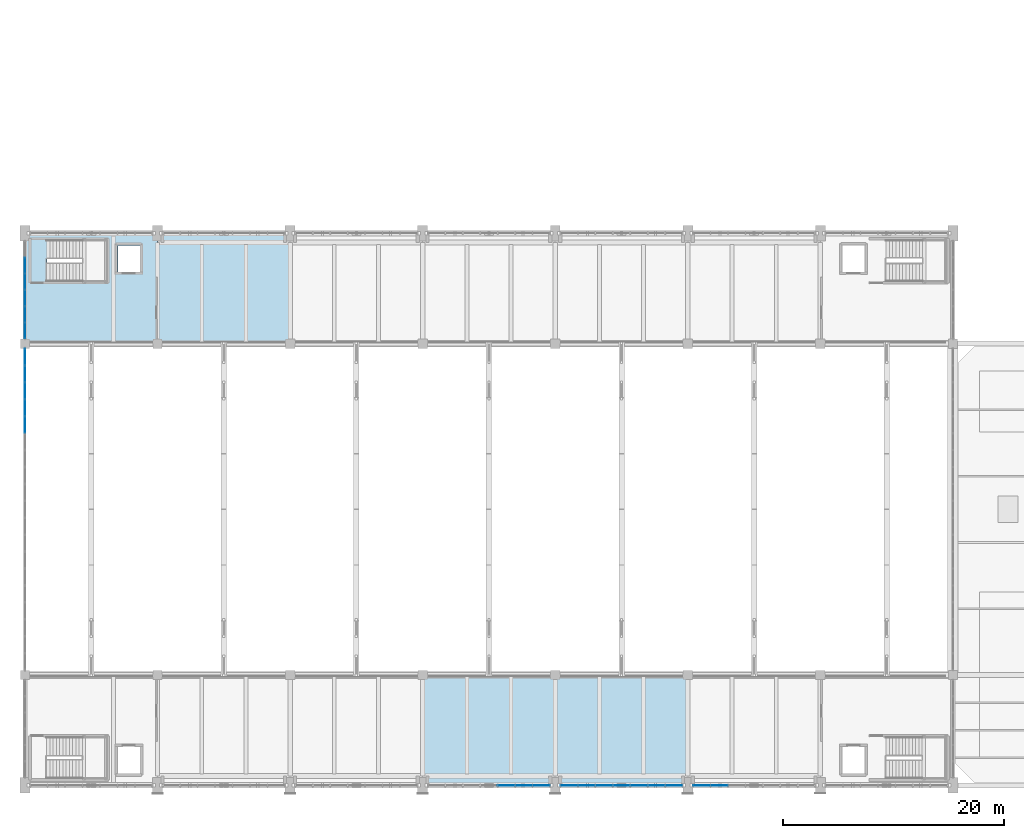
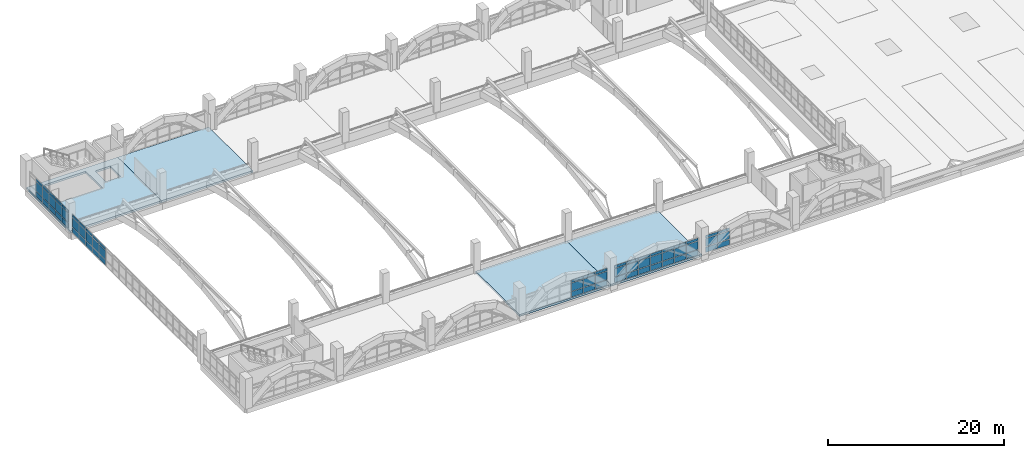
# One storey, part 123 of 161: 66 plates, 4 slabs, 5 elements without a shape of their own.
"""IFC4 building model written with IfcOpenShell, lengths in metres."""

import ifcopenshell
import ifcopenshell.guid

model = None  # the IFC model being written
_history = None  # IfcOwnerHistory: only IFC2X3 demands one
_inside = {}  # id of a spatial element -> (the spatial element, [elements in it])
_under = {}  # id of a project, library or spatial element -> (it, [spatial elements below it])
_declared = {}  # id of a project -> (the project, [libraries it declares])
_typed = {}  # id of a type object -> (the type object, [elements of that type])
_made_of = {}  # id of a material, layer set ... -> (it, [elements and type objects made of it])


def new_model(schema):
    """Start an empty IFC model of exactly this schema.

    Asked for "IFC4X3", IfcOpenShell would pick the latest addendum, in which some entities
    have other attributes; the version numbers below select the first issue.
    IFC2X3 requires an IfcOwnerHistory on every rooted entity: one is made here for all.
    """
    global model, _history
    if schema == "IFC4X3":
        model = ifcopenshell.file(schema_version=(4, 3, 0, 0))
    else:
        model = ifcopenshell.file(schema=schema)
    _inside.clear()
    _under.clear()
    _declared.clear()
    _typed.clear()
    _made_of.clear()
    _history = None
    if model.schema == "IFC2X3":
        org = make("IfcOrganization", Name="unknown")
        user = make(
            "IfcPersonAndOrganization",
            ThePerson=make("IfcPerson", FamilyName="unknown"),
            TheOrganization=org,
        )
        app = make(
            "IfcApplication",
            ApplicationDeveloper=org,
            Version="unknown",
            ApplicationFullName="unknown",
            ApplicationIdentifier="unknown",
        )
        _history = make(
            "IfcOwnerHistory",
            OwningUser=user,
            OwningApplication=app,
            ChangeAction="ADDED",
            CreationDate=0,
        )
    return model


def make(cls, **values):
    """One entity of the class cls with the attributes given. An attribute that is None is left unset."""
    return model.create_entity(
        cls, **{name: value for name, value in values.items() if value is not None}
    )


def rooted(cls, **values):
    """An entity with a GlobalId (a new one), such as an element, a storey or a relation."""
    return make(cls, GlobalId=ifcopenshell.guid.new(), OwnerHistory=_history, **values)


def si_unit(unit_type, name, prefix=None):
    """IfcSIUnit, for example si_unit("LENGTHUNIT", "METRE", prefix="MILLI")."""
    return make("IfcSIUnit", UnitType=unit_type, Prefix=prefix, Name=name)


def assignment(units):
    """IfcUnitAssignment: the units of a project."""
    return None if units is None else make("IfcUnitAssignment", Units=units)


def point(xyz):
    """IfcCartesianPoint."""
    return None if xyz is None else make("IfcCartesianPoint", Coordinates=xyz)


def direction(xyz):
    """IfcDirection."""
    return None if xyz is None else make("IfcDirection", DirectionRatios=xyz)


def frame(location, z_axis=None, x_axis=None):
    """IfcAxis2Placement3D, a coordinate frame: its origin and axes. An axis left out is left unset."""
    return make(
        "IfcAxis2Placement3D",
        Location=point(location),
        Axis=direction(z_axis),
        RefDirection=direction(x_axis),
    )


def frame_2d(location, x_axis=None):
    """IfcAxis2Placement2D, a coordinate frame in the plane: its origin and x axis."""
    return make(
        "IfcAxis2Placement2D", Location=point(location), RefDirection=direction(x_axis)
    )


def origin():
    """The frame at (0, 0, 0) with its axes left unset."""
    return frame((0.0, 0.0, 0.0))


def origin_2d():
    """The frame at (0, 0) in the plane with its x axis left unset."""
    return frame_2d((0.0, 0.0))


def place(relative_to, where):
    """IfcLocalPlacement: puts the frame where relative to a parent placement (None: the world)."""
    return make(
        "IfcLocalPlacement", PlacementRelTo=relative_to, RelativePlacement=where
    )


def context(
    kind, dimensions, precision=None, world=None, true_north=None, identifier=None
):
    """IfcGeometricRepresentationContext, for example the 3D "Model" context."""
    return make(
        "IfcGeometricRepresentationContext",
        ContextIdentifier=identifier,
        ContextType=kind,
        CoordinateSpaceDimension=dimensions,
        Precision=precision,
        WorldCoordinateSystem=world,
        TrueNorth=true_north,
    )


def subcontext(parent, identifier, kind, view, scale=None):
    """IfcGeometricRepresentationSubContext, for example "Body" below "Model"."""
    return make(
        "IfcGeometricRepresentationSubContext",
        ContextIdentifier=identifier,
        ContextType=kind,
        ParentContext=parent,
        TargetScale=scale,
        TargetView=view,
    )


def project(units=None, contexts=None):
    """IfcProject with its units and contexts."""
    return rooted(
        "IfcProject",
        Name="project",
        RepresentationContexts=contexts,
        UnitsInContext=assignment(units),
    )


def spatial(cls, under=None, at=None, **own):
    """A site, building, storey or space (cls), placed at a placement, below another one or the project."""
    s = rooted(cls, ObjectPlacement=at, **own)
    if under is not None:
        _under.setdefault(under.id(), (under, []))[1].append(s)
    return s


def polyline(points):
    """IfcPolyline through the points."""
    return make("IfcPolyline", Points=[point(p) for p in points])


def profile(cls, at=None, kind="AREA", **sizes):
    """A parametric profile (cls). Its sizes go by their IFC names, for example OverallWidth=200.0."""
    return make(cls, ProfileType=kind, Position=at, **sizes)


def rectangle(**sizes):
    """IfcRectangleProfileDef."""
    return profile("IfcRectangleProfileDef", **sizes)


def outline(outer, holes=None, kind="AREA"):
    """IfcArbitraryClosedProfileDef: a profile drawn as a closed curve; with holes, ...WithVoids."""
    if holes is None:
        return make("IfcArbitraryClosedProfileDef", ProfileType=kind, OuterCurve=outer)
    return make(
        "IfcArbitraryProfileDefWithVoids",
        ProfileType=kind,
        OuterCurve=outer,
        InnerCurves=holes,
    )


def extrude(swept, where, along, depth):
    """IfcExtrudedAreaSolid: the profile swept, set in the frame where, extruded along a direction by depth."""
    return make(
        "IfcExtrudedAreaSolid",
        SweptArea=swept,
        Position=where,
        ExtrudedDirection=direction(along),
        Depth=depth,
    )


def shape(context_of_items, identifier, shape_type, items):
    """IfcShapeRepresentation: the items that make up one representation, for example the "Body"."""
    return make(
        "IfcShapeRepresentation",
        ContextOfItems=context_of_items,
        RepresentationIdentifier=identifier,
        RepresentationType=shape_type,
        Items=items,
    )


def material(Name=None, Category=None):
    """IfcMaterial."""
    return make("IfcMaterial", Name=Name, Category=Category)


def layer(
    of_material, thickness, ventilated=None, Name=None, Category=None, Priority=None
):
    """IfcMaterialLayer: one layer of a wall or slab, of a material (None: an air gap)."""
    return make(
        "IfcMaterialLayer",
        Material=of_material,
        LayerThickness=thickness,
        IsVentilated=ventilated,
        Name=Name,
        Category=Category,
        Priority=Priority,
    )


def layer_set(layers, Name=None):
    """IfcMaterialLayerSet."""
    return make("IfcMaterialLayerSet", MaterialLayers=layers, LayerSetName=Name)


def made_of(thing, what):
    """Note that an element or type object is made of a material, layer set ...; save() writes the relation."""
    if what is not None:
        _made_of.setdefault(what.id(), (what, []))[1].append(thing)
    return thing


def type_object(cls, material=None, **own):
    """A type object (cls), such as IfcWallType, which elements share."""
    return made_of(rooted(cls, **own), material)


def element(
    cls,
    number,
    at=None,
    inside=None,
    cuts=None,
    type_object=None,
    material=None,
    context=None,
    identifier="Body",
    shape_type=None,
    held_by="IfcProductDefinitionShape",
    body=None,
    shapes=None,
    **own,
):
    """One element of the class cls, such as IfcWall. Its Tag is "e" and its number.

    at: its placement. inside: the storey or other place that contains it. cuts: it is an
    opening in that element (IfcRelVoidsElement). A single representation is given by context,
    identifier, shape_type and body (its items); several are given by shapes. held_by: the class
    of the entity that holds the representations. save() writes the other relations.
    """
    e = rooted(cls, Tag="e%d" % number, ObjectPlacement=at, **own)
    if body is not None:
        shapes = [shape(context, identifier, shape_type, body)]
    if shapes is not None:
        e.Representation = make(held_by, Representations=shapes)
    if inside is not None:
        _inside.setdefault(inside.id(), (inside, []))[1].append(e)
    if cuts is not None:
        rooted(
            "IfcRelVoidsElement", RelatingBuildingElement=cuts, RelatedOpeningElement=e
        )
    if type_object is not None:
        _typed.setdefault(type_object.id(), (type_object, []))[1].append(e)
    return made_of(e, material)


def aggregate(whole, parts):
    """IfcRelAggregates: a whole, such as a stair, and the parts it consists of."""
    return rooted("IfcRelAggregates", RelatingObject=whole, RelatedObjects=parts)


def save(model, path):
    """Write the relations noted so far, then the file.

    IfcRelAggregates (storeys below a building ...), IfcRelContainedInSpatialStructure (elements
    in a storey), IfcRelDefinesByType, IfcRelAssociatesMaterial and IfcRelDeclares: one each for
    every whole, place, type object, material and project.
    """
    for whole, parts in _under.values():
        aggregate(whole, parts)
    for where, things in _inside.values():
        rooted(
            "IfcRelContainedInSpatialStructure",
            RelatedElements=things,
            RelatingStructure=where,
        )
    for kind, things in _typed.values():
        rooted("IfcRelDefinesByType", RelatedObjects=things, RelatingType=kind)
    for what, things in _made_of.values():
        rooted("IfcRelAssociatesMaterial", RelatedObjects=things, RelatingMaterial=what)
    for by, libraries in _declared.values():
        rooted("IfcRelDeclares", RelatingContext=by, RelatedDefinitions=libraries)
    model.write(path)


model = new_model("IFC4")

# Units and contexts
model_context = context("Model", 3, precision=1e-05, world=origin(), true_north=direction((0.0, 1.0)))
body_context = subcontext(model_context, "Body", "Model", "MODEL_VIEW")
ifc_project = project(units=[si_unit("LENGTHUNIT", "METRE"), si_unit("AREAUNIT", "SQUARE_METRE"), si_unit("VOLUMEUNIT", "CUBIC_METRE"), si_unit("PLANEANGLEUNIT", "RADIAN"), si_unit("MASSUNIT", "GRAM", prefix="KILO")], contexts=[model_context])

# Site, building, storey
site_placement = place(None, origin())
site = spatial("IfcSite", under=ifc_project, at=site_placement, CompositionType="ELEMENT")
building_placement = place(site_placement, origin())
building = spatial("IfcBuilding", under=site, at=building_placement, Name="Mersad Railyard Sports Hall", CompositionType="ELEMENT")
storey_placement = place(building_placement, frame((0.0, 0.0, 4.800048828125)))
storey = spatial("IfcBuildingStorey", under=building, at=storey_placement, Name="L01", CompositionType="ELEMENT", Elevation=4.800048828125)

# Curtain wall, plates
ifc_material_1 = material(Name="Aluminium 6063-T6", Category="aluminium")
ifc_layer_1 = layer(ifc_material_1, 0.199951171875)
ifc_layer_set_1 = layer_set([ifc_layer_1], Name="Aluminium 6063-T6")
curtain_wall_type_1 = type_object("IfcCurtainWallType", Name="ARC-CW-CW02", PredefinedType="USERDEFINED", material=ifc_layer_set_1)
curtain_wall_1_placement = place(storey_placement, origin())
curtain_wall_1 = element("IfcCurtainWall", 1, at=curtain_wall_1_placement, inside=storey, type_object=curtain_wall_type_1, Name="Curtain wall CW02-0011", ObjectType="CURTAIN WALL", PredefinedType="USERDEFINED")
ifc_material_2 = material(Name="Solar-control glass", Category="glass")
ifc_layer_2 = layer(ifc_material_2, 0.028076171875)
ifc_layer_set_2 = layer_set([ifc_layer_2], Name="Solar-control glass")
plate_type = type_object("IfcPlateType", Name="ARC-CW-PNL01", PredefinedType="CURTAIN_PANEL", material=ifc_layer_set_2)
plate_1_placement = place(storey_placement, frame((53.739990234375, 3.5, 0.0849609375), z_axis=(0.0, 0.0, 1.0), x_axis=(-1.0, 0.0, 0.0)))
plate_1 = element("IfcPlate", 2, at=plate_1_placement, type_object=plate_type, Name="CW02 Glazed panel 1-1", PredefinedType="CURTAIN_PANEL", context=body_context, shape_type="SweptSolid", body=[
    extrude(rectangle(XDim=1.535888671875, YDim=0.028076171875, at=origin_2d()), origin(), (0.0, 0.0, 1.0), 0.719970703125),
])
plate_2_placement = place(storey_placement, frame((53.739990234375, 3.5, 0.89501953125), z_axis=(0.0, 0.0, 1.0), x_axis=(-1.0, 0.0, 0.0)))
plate_2 = element("IfcPlate", 3, at=plate_2_placement, type_object=plate_type, Name="CW02 Glazed panel 1-2", PredefinedType="CURTAIN_PANEL", context=body_context, shape_type="SweptSolid", body=[
    extrude(rectangle(XDim=1.535888671875, YDim=0.028076171875, at=origin_2d()), origin(), (0.0, 0.0, 1.0), 1.110107421875),
])
plate_3_placement = place(storey_placement, frame((53.739990234375, 3.5, 2.094970703125), z_axis=(0.0, 0.0, 1.0), x_axis=(-1.0, 0.0, 0.0)))
plate_3 = element("IfcPlate", 4, at=plate_3_placement, type_object=plate_type, Name="CW02 Glazed panel 1-3", PredefinedType="CURTAIN_PANEL", context=body_context, shape_type="SweptSolid", body=[
    extrude(rectangle(XDim=1.535888671875, YDim=0.028076171875, at=origin_2d()), origin(), (0.0, 0.0, 1.0), 0.35009765625),
])
plate_4_placement = place(storey_placement, frame((52.159912109375, 3.5, 0.0849609375), z_axis=(0.0, 0.0, 1.0), x_axis=(-1.0, 0.0, 0.0)))
plate_4 = element("IfcPlate", 5, at=plate_4_placement, type_object=plate_type, Name="CW02 Glazed panel 2-1", PredefinedType="CURTAIN_PANEL", context=body_context, shape_type="SweptSolid", body=[
    extrude(rectangle(XDim=1.535888671875, YDim=0.028076171875, at=origin_2d()), origin(), (0.0, 0.0, 1.0), 0.719970703125),
])
plate_5_placement = place(storey_placement, frame((52.159912109375, 3.5, 0.89501953125), z_axis=(0.0, 0.0, 1.0), x_axis=(-1.0, 0.0, 0.0)))
plate_5 = element("IfcPlate", 6, at=plate_5_placement, type_object=plate_type, Name="CW02 Glazed panel 2-2", PredefinedType="CURTAIN_PANEL", context=body_context, shape_type="SweptSolid", body=[
    extrude(rectangle(XDim=1.535888671875, YDim=0.028076171875, at=origin_2d()), origin(), (0.0, 0.0, 1.0), 1.110107421875),
])
plate_6_placement = place(storey_placement, frame((52.159912109375, 3.5, 2.094970703125), z_axis=(0.0, 0.0, 1.0), x_axis=(-1.0, 0.0, 0.0)))
plate_6 = element("IfcPlate", 7, at=plate_6_placement, type_object=plate_type, Name="CW02 Glazed panel 2-3", PredefinedType="CURTAIN_PANEL", context=body_context, shape_type="SweptSolid", body=[
    extrude(rectangle(XDim=1.535888671875, YDim=0.028076171875, at=origin_2d()), origin(), (0.0, 0.0, 1.0), 0.35009765625),
])
plate_7_placement = place(storey_placement, frame((50.580078125, 3.5, 0.0849609375), z_axis=(0.0, 0.0, 1.0), x_axis=(-1.0, 0.0, 0.0)))
plate_7 = element("IfcPlate", 8, at=plate_7_placement, type_object=plate_type, Name="CW02 Glazed panel 3-1", PredefinedType="CURTAIN_PANEL", context=body_context, shape_type="SweptSolid", body=[
    extrude(rectangle(XDim=1.535888671875, YDim=0.028076171875, at=origin_2d()), origin(), (0.0, 0.0, 1.0), 0.719970703125),
])
plate_8_placement = place(storey_placement, frame((50.580078125, 3.5, 0.89501953125), z_axis=(0.0, 0.0, 1.0), x_axis=(-1.0, 0.0, 0.0)))
plate_8 = element("IfcPlate", 9, at=plate_8_placement, type_object=plate_type, Name="CW02 Glazed panel 3-2", PredefinedType="CURTAIN_PANEL", context=body_context, shape_type="SweptSolid", body=[
    extrude(rectangle(XDim=1.535888671875, YDim=0.028076171875, at=origin_2d()), origin(), (0.0, 0.0, 1.0), 1.110107421875),
])
plate_9_placement = place(storey_placement, frame((50.580078125, 3.5, 2.094970703125), z_axis=(0.0, 0.0, 1.0), x_axis=(-1.0, 0.0, 0.0)))
plate_9 = element("IfcPlate", 10, at=plate_9_placement, type_object=plate_type, Name="CW02 Glazed panel 3-3", PredefinedType="CURTAIN_PANEL", context=body_context, shape_type="SweptSolid", body=[
    extrude(rectangle(XDim=1.535888671875, YDim=0.028076171875, at=origin_2d()), origin(), (0.0, 0.0, 1.0), 0.35009765625),
])
aggregate(curtain_wall_1, [plate_1, plate_2, plate_3, plate_4, plate_5, plate_6, plate_7, plate_8, plate_9])

curtain_wall_2_placement = place(storey_placement, origin())
curtain_wall_2 = element("IfcCurtainWall", 11, at=curtain_wall_2_placement, inside=storey, type_object=curtain_wall_type_1, Name="Curtain wall CW02-0015", ObjectType="CURTAIN WALL", PredefinedType="USERDEFINED")
plate_10_placement = place(storey_placement, frame((65.739990234375, 3.5, 0.0849609375), z_axis=(0.0, 0.0, 1.0), x_axis=(-1.0, 0.0, 0.0)))
plate_10 = element("IfcPlate", 12, at=plate_10_placement, type_object=plate_type, Name="CW02 Glazed panel 1-1", PredefinedType="CURTAIN_PANEL", context=body_context, shape_type="SweptSolid", body=[
    extrude(rectangle(XDim=1.535888671875, YDim=0.028076171875, at=origin_2d()), origin(), (0.0, 0.0, 1.0), 0.719970703125),
])
plate_11_placement = place(storey_placement, frame((65.739990234375, 3.5, 0.89501953125), z_axis=(0.0, 0.0, 1.0), x_axis=(-1.0, 0.0, 0.0)))
plate_11 = element("IfcPlate", 13, at=plate_11_placement, type_object=plate_type, Name="CW02 Glazed panel 1-2", PredefinedType="CURTAIN_PANEL", context=body_context, shape_type="SweptSolid", body=[
    extrude(rectangle(XDim=1.535888671875, YDim=0.028076171875, at=origin_2d()), origin(), (0.0, 0.0, 1.0), 1.110107421875),
])
plate_12_placement = place(storey_placement, frame((65.739990234375, 3.5, 2.094970703125), z_axis=(0.0, 0.0, 1.0), x_axis=(-1.0, 0.0, 0.0)))
plate_12 = element("IfcPlate", 14, at=plate_12_placement, type_object=plate_type, Name="CW02 Glazed panel 1-3", PredefinedType="CURTAIN_PANEL", context=body_context, shape_type="SweptSolid", body=[
    extrude(rectangle(XDim=1.535888671875, YDim=0.028076171875, at=origin_2d()), origin(), (0.0, 0.0, 1.0), 0.35009765625),
])
plate_13_placement = place(storey_placement, frame((64.159912109375, 3.5, 0.0849609375), z_axis=(0.0, 0.0, 1.0), x_axis=(-1.0, 0.0, 0.0)))
plate_13 = element("IfcPlate", 15, at=plate_13_placement, type_object=plate_type, Name="CW02 Glazed panel 2-1", PredefinedType="CURTAIN_PANEL", context=body_context, shape_type="SweptSolid", body=[
    extrude(rectangle(XDim=1.535888671875, YDim=0.028076171875, at=origin_2d()), origin(), (0.0, 0.0, 1.0), 0.719970703125),
])
plate_14_placement = place(storey_placement, frame((64.159912109375, 3.5, 0.89501953125), z_axis=(0.0, 0.0, 1.0), x_axis=(-1.0, 0.0, 0.0)))
plate_14 = element("IfcPlate", 16, at=plate_14_placement, type_object=plate_type, Name="CW02 Glazed panel 2-2", PredefinedType="CURTAIN_PANEL", context=body_context, shape_type="SweptSolid", body=[
    extrude(rectangle(XDim=1.535888671875, YDim=0.028076171875, at=origin_2d()), origin(), (0.0, 0.0, 1.0), 1.110107421875),
])
plate_15_placement = place(storey_placement, frame((64.159912109375, 3.5, 2.094970703125), z_axis=(0.0, 0.0, 1.0), x_axis=(-1.0, 0.0, 0.0)))
plate_15 = element("IfcPlate", 17, at=plate_15_placement, type_object=plate_type, Name="CW02 Glazed panel 2-3", PredefinedType="CURTAIN_PANEL", context=body_context, shape_type="SweptSolid", body=[
    extrude(rectangle(XDim=1.535888671875, YDim=0.028076171875, at=origin_2d()), origin(), (0.0, 0.0, 1.0), 0.35009765625),
])
plate_16_placement = place(storey_placement, frame((62.580078125, 3.5, 0.0849609375), z_axis=(0.0, 0.0, 1.0), x_axis=(-1.0, 0.0, 0.0)))
plate_16 = element("IfcPlate", 18, at=plate_16_placement, type_object=plate_type, Name="CW02 Glazed panel 3-1", PredefinedType="CURTAIN_PANEL", context=body_context, shape_type="SweptSolid", body=[
    extrude(rectangle(XDim=1.535888671875, YDim=0.028076171875, at=origin_2d()), origin(), (0.0, 0.0, 1.0), 0.719970703125),
])
plate_17_placement = place(storey_placement, frame((62.580078125, 3.5, 0.89501953125), z_axis=(0.0, 0.0, 1.0), x_axis=(-1.0, 0.0, 0.0)))
plate_17 = element("IfcPlate", 19, at=plate_17_placement, type_object=plate_type, Name="CW02 Glazed panel 3-2", PredefinedType="CURTAIN_PANEL", context=body_context, shape_type="SweptSolid", body=[
    extrude(rectangle(XDim=1.535888671875, YDim=0.028076171875, at=origin_2d()), origin(), (0.0, 0.0, 1.0), 1.110107421875),
])
plate_18_placement = place(storey_placement, frame((62.580078125, 3.5, 2.094970703125), z_axis=(0.0, 0.0, 1.0), x_axis=(-1.0, 0.0, 0.0)))
plate_18 = element("IfcPlate", 20, at=plate_18_placement, type_object=plate_type, Name="CW02 Glazed panel 3-3", PredefinedType="CURTAIN_PANEL", context=body_context, shape_type="SweptSolid", body=[
    extrude(rectangle(XDim=1.535888671875, YDim=0.028076171875, at=origin_2d()), origin(), (0.0, 0.0, 1.0), 0.35009765625),
])
plate_19_placement = place(storey_placement, frame((61.0, 3.5, 0.0849609375), z_axis=(0.0, 0.0, 1.0), x_axis=(-1.0, 0.0, 0.0)))
plate_19 = element("IfcPlate", 21, at=plate_19_placement, type_object=plate_type, Name="CW02 Glazed panel 4-1", PredefinedType="CURTAIN_PANEL", context=body_context, shape_type="SweptSolid", body=[
    extrude(rectangle(XDim=1.535888671875, YDim=0.028076171875, at=origin_2d()), origin(), (0.0, 0.0, 1.0), 0.719970703125),
])
plate_20_placement = place(storey_placement, frame((61.0, 3.5, 0.89501953125), z_axis=(0.0, 0.0, 1.0), x_axis=(-1.0, 0.0, 0.0)))
plate_20 = element("IfcPlate", 22, at=plate_20_placement, type_object=plate_type, Name="CW02 Glazed panel 4-2", PredefinedType="CURTAIN_PANEL", context=body_context, shape_type="SweptSolid", body=[
    extrude(rectangle(XDim=1.535888671875, YDim=0.028076171875, at=origin_2d()), origin(), (0.0, 0.0, 1.0), 1.110107421875),
])
plate_21_placement = place(storey_placement, frame((61.0, 3.5, 2.094970703125), z_axis=(0.0, 0.0, 1.0), x_axis=(-1.0, 0.0, 0.0)))
plate_21 = element("IfcPlate", 23, at=plate_21_placement, type_object=plate_type, Name="CW02 Glazed panel 4-3", PredefinedType="CURTAIN_PANEL", context=body_context, shape_type="SweptSolid", body=[
    extrude(rectangle(XDim=1.535888671875, YDim=0.028076171875, at=origin_2d()), origin(), (0.0, 0.0, 1.0), 0.35009765625),
])
plate_22_placement = place(storey_placement, frame((59.419921875, 3.5, 0.0849609375), z_axis=(0.0, 0.0, 1.0), x_axis=(-1.0, 0.0, 0.0)))
plate_22 = element("IfcPlate", 24, at=plate_22_placement, type_object=plate_type, Name="CW02 Glazed panel 5-1", PredefinedType="CURTAIN_PANEL", context=body_context, shape_type="SweptSolid", body=[
    extrude(rectangle(XDim=1.535888671875, YDim=0.028076171875, at=origin_2d()), origin(), (0.0, 0.0, 1.0), 0.719970703125),
])
plate_23_placement = place(storey_placement, frame((59.419921875, 3.5, 0.89501953125), z_axis=(0.0, 0.0, 1.0), x_axis=(-1.0, 0.0, 0.0)))
plate_23 = element("IfcPlate", 25, at=plate_23_placement, type_object=plate_type, Name="CW02 Glazed panel 5-2", PredefinedType="CURTAIN_PANEL", context=body_context, shape_type="SweptSolid", body=[
    extrude(rectangle(XDim=1.535888671875, YDim=0.028076171875, at=origin_2d()), origin(), (0.0, 0.0, 1.0), 1.110107421875),
])
plate_24_placement = place(storey_placement, frame((59.419921875, 3.5, 2.094970703125), z_axis=(0.0, 0.0, 1.0), x_axis=(-1.0, 0.0, 0.0)))
plate_24 = element("IfcPlate", 26, at=plate_24_placement, type_object=plate_type, Name="CW02 Glazed panel 5-3", PredefinedType="CURTAIN_PANEL", context=body_context, shape_type="SweptSolid", body=[
    extrude(rectangle(XDim=1.535888671875, YDim=0.028076171875, at=origin_2d()), origin(), (0.0, 0.0, 1.0), 0.35009765625),
])
plate_25_placement = place(storey_placement, frame((57.840087890625, 3.5, 0.0849609375), z_axis=(0.0, 0.0, 1.0), x_axis=(-1.0, 0.0, 0.0)))
plate_25 = element("IfcPlate", 27, at=plate_25_placement, type_object=plate_type, Name="CW02 Glazed panel 6-1", PredefinedType="CURTAIN_PANEL", context=body_context, shape_type="SweptSolid", body=[
    extrude(rectangle(XDim=1.535888671875, YDim=0.028076171875, at=origin_2d()), origin(), (0.0, 0.0, 1.0), 0.719970703125),
])
plate_26_placement = place(storey_placement, frame((57.840087890625, 3.5, 0.89501953125), z_axis=(0.0, 0.0, 1.0), x_axis=(-1.0, 0.0, 0.0)))
plate_26 = element("IfcPlate", 28, at=plate_26_placement, type_object=plate_type, Name="CW02 Glazed panel 6-2", PredefinedType="CURTAIN_PANEL", context=body_context, shape_type="SweptSolid", body=[
    extrude(rectangle(XDim=1.535888671875, YDim=0.028076171875, at=origin_2d()), origin(), (0.0, 0.0, 1.0), 1.110107421875),
])
plate_27_placement = place(storey_placement, frame((57.840087890625, 3.5, 2.094970703125), z_axis=(0.0, 0.0, 1.0), x_axis=(-1.0, 0.0, 0.0)))
plate_27 = element("IfcPlate", 29, at=plate_27_placement, type_object=plate_type, Name="CW02 Glazed panel 6-3", PredefinedType="CURTAIN_PANEL", context=body_context, shape_type="SweptSolid", body=[
    extrude(rectangle(XDim=1.535888671875, YDim=0.028076171875, at=origin_2d()), origin(), (0.0, 0.0, 1.0), 0.35009765625),
])
plate_28_placement = place(storey_placement, frame((56.260009765625, 3.5, 0.0849609375), z_axis=(0.0, 0.0, 1.0), x_axis=(-1.0, 0.0, 0.0)))
plate_28 = element("IfcPlate", 30, at=plate_28_placement, type_object=plate_type, Name="CW02 Glazed panel 7-1", PredefinedType="CURTAIN_PANEL", context=body_context, shape_type="SweptSolid", body=[
    extrude(rectangle(XDim=1.535888671875, YDim=0.028076171875, at=origin_2d()), origin(), (0.0, 0.0, 1.0), 0.719970703125),
])
plate_29_placement = place(storey_placement, frame((56.260009765625, 3.5, 0.89501953125), z_axis=(0.0, 0.0, 1.0), x_axis=(-1.0, 0.0, 0.0)))
plate_29 = element("IfcPlate", 31, at=plate_29_placement, type_object=plate_type, Name="CW02 Glazed panel 7-2", PredefinedType="CURTAIN_PANEL", context=body_context, shape_type="SweptSolid", body=[
    extrude(rectangle(XDim=1.535888671875, YDim=0.028076171875, at=origin_2d()), origin(), (0.0, 0.0, 1.0), 1.110107421875),
])
plate_30_placement = place(storey_placement, frame((56.260009765625, 3.5, 2.094970703125), z_axis=(0.0, 0.0, 1.0), x_axis=(-1.0, 0.0, 0.0)))
plate_30 = element("IfcPlate", 32, at=plate_30_placement, type_object=plate_type, Name="CW02 Glazed panel 7-3", PredefinedType="CURTAIN_PANEL", context=body_context, shape_type="SweptSolid", body=[
    extrude(rectangle(XDim=1.535888671875, YDim=0.028076171875, at=origin_2d()), origin(), (0.0, 0.0, 1.0), 0.35009765625),
])
aggregate(curtain_wall_2, [plate_10, plate_11, plate_12, plate_13, plate_14, plate_15, plate_16, plate_17, plate_18, plate_19, plate_20, plate_21, plate_22, plate_23, plate_24, plate_25, plate_26, plate_27, plate_28, plate_29, plate_30])

curtain_wall_3_placement = place(storey_placement, origin())
curtain_wall_3 = element("IfcCurtainWall", 33, at=curtain_wall_3_placement, inside=storey, type_object=curtain_wall_type_1, Name="Curtain wall CW02-0017", ObjectType="CURTAIN WALL", PredefinedType="USERDEFINED")
plate_31_placement = place(storey_placement, frame((69.840087890625, 3.5, 0.0849609375), z_axis=(0.0, 0.0, 1.0), x_axis=(-1.0, 0.0, 0.0)))
plate_31 = element("IfcPlate", 34, at=plate_31_placement, type_object=plate_type, Name="CW02 Glazed panel 6-1", PredefinedType="CURTAIN_PANEL", context=body_context, shape_type="SweptSolid", body=[
    extrude(rectangle(XDim=1.535888671875, YDim=0.028076171875, at=origin_2d()), origin(), (0.0, 0.0, 1.0), 0.719970703125),
])
plate_32_placement = place(storey_placement, frame((69.840087890625, 3.5, 0.89501953125), z_axis=(0.0, 0.0, 1.0), x_axis=(-1.0, 0.0, 0.0)))
plate_32 = element("IfcPlate", 35, at=plate_32_placement, type_object=plate_type, Name="CW02 Glazed panel 6-2", PredefinedType="CURTAIN_PANEL", context=body_context, shape_type="SweptSolid", body=[
    extrude(rectangle(XDim=1.535888671875, YDim=0.028076171875, at=origin_2d()), origin(), (0.0, 0.0, 1.0), 1.110107421875),
])
plate_33_placement = place(storey_placement, frame((69.840087890625, 3.5, 2.094970703125), z_axis=(0.0, 0.0, 1.0), x_axis=(-1.0, 0.0, 0.0)))
plate_33 = element("IfcPlate", 36, at=plate_33_placement, type_object=plate_type, Name="CW02 Glazed panel 6-3", PredefinedType="CURTAIN_PANEL", context=body_context, shape_type="SweptSolid", body=[
    extrude(rectangle(XDim=1.535888671875, YDim=0.028076171875, at=origin_2d()), origin(), (0.0, 0.0, 1.0), 0.35009765625),
])
plate_34_placement = place(storey_placement, frame((68.260009765625, 3.5, 0.0849609375), z_axis=(0.0, 0.0, 1.0), x_axis=(-1.0, 0.0, 0.0)))
plate_34 = element("IfcPlate", 37, at=plate_34_placement, type_object=plate_type, Name="CW02 Glazed panel 7-1", PredefinedType="CURTAIN_PANEL", context=body_context, shape_type="SweptSolid", body=[
    extrude(rectangle(XDim=1.535888671875, YDim=0.028076171875, at=origin_2d()), origin(), (0.0, 0.0, 1.0), 0.719970703125),
])
plate_35_placement = place(storey_placement, frame((68.260009765625, 3.5, 0.89501953125), z_axis=(0.0, 0.0, 1.0), x_axis=(-1.0, 0.0, 0.0)))
plate_35 = element("IfcPlate", 38, at=plate_35_placement, type_object=plate_type, Name="CW02 Glazed panel 7-2", PredefinedType="CURTAIN_PANEL", context=body_context, shape_type="SweptSolid", body=[
    extrude(rectangle(XDim=1.535888671875, YDim=0.028076171875, at=origin_2d()), origin(), (0.0, 0.0, 1.0), 1.110107421875),
])
plate_36_placement = place(storey_placement, frame((68.260009765625, 3.5, 2.094970703125), z_axis=(0.0, 0.0, 1.0), x_axis=(-1.0, 0.0, 0.0)))
plate_36 = element("IfcPlate", 39, at=plate_36_placement, type_object=plate_type, Name="CW02 Glazed panel 7-3", PredefinedType="CURTAIN_PANEL", context=body_context, shape_type="SweptSolid", body=[
    extrude(rectangle(XDim=1.535888671875, YDim=0.028076171875, at=origin_2d()), origin(), (0.0, 0.0, 1.0), 0.35009765625),
])
aggregate(curtain_wall_3, [plate_31, plate_32, plate_33, plate_34, plate_35, plate_36])

ifc_layer_3 = layer(ifc_material_1, 0.199951171875)
ifc_layer_set_3 = layer_set([ifc_layer_3], Name="Aluminium 6063-T6")
curtain_wall_type_2 = type_object("IfcCurtainWallType", Name="ARC-CW-CW04", PredefinedType="USERDEFINED", material=ifc_layer_set_3)
curtain_wall_4_placement = place(storey_placement, origin())
curtain_wall_4 = element("IfcCurtainWall", 40, at=curtain_wall_4_placement, inside=storey, type_object=curtain_wall_type_2, Name="Curtain wall CW04-0024", ObjectType="CURTAIN WALL", PredefinedType="USERDEFINED")
plate_37_placement = place(storey_placement, frame((7.0, 36.16064453125, 0.0849609375), z_axis=(0.0, 0.0, 1.0), x_axis=(0.0, 1.0, 0.0)))
plate_37 = element("IfcPlate", 41, at=plate_37_placement, type_object=plate_type, Name="CW04 Glazed panel 15-1", PredefinedType="CURTAIN_PANEL", context=body_context, shape_type="SweptSolid", body=[
    extrude(rectangle(XDim=1.488037109375, YDim=0.028076171875, at=origin_2d()), origin(), (0.0, 0.0, 1.0), 0.719970703125),
])
plate_38_placement = place(storey_placement, frame((7.0, 36.16064453125, 0.89501953125), z_axis=(0.0, 0.0, 1.0), x_axis=(0.0, 1.0, 0.0)))
plate_38 = element("IfcPlate", 42, at=plate_38_placement, type_object=plate_type, Name="CW04 Glazed panel 15-2", PredefinedType="CURTAIN_PANEL", context=body_context, shape_type="SweptSolid", body=[
    extrude(rectangle(XDim=1.488037109375, YDim=0.028076171875, at=origin_2d()), origin(), (0.0, 0.0, 1.0), 1.260009765625),
])
plate_39_placement = place(storey_placement, frame((7.0, 36.16064453125, 2.244873046875), z_axis=(0.0, 0.0, 1.0), x_axis=(0.0, 1.0, 0.0)))
plate_39 = element("IfcPlate", 43, at=plate_39_placement, type_object=plate_type, Name="CW04 Glazed panel 15-3", PredefinedType="CURTAIN_PANEL", context=body_context, shape_type="SweptSolid", body=[
    extrude(rectangle(XDim=1.488037109375, YDim=0.028076171875, at=origin_2d()), origin(), (0.0, 0.0, 1.0), 0.35009765625),
])
plate_40_placement = place(storey_placement, frame((7.0, 37.692626953125, 0.0849609375), z_axis=(0.0, 0.0, 1.0), x_axis=(0.0, 1.0, 0.0)))
plate_40 = element("IfcPlate", 44, at=plate_40_placement, type_object=plate_type, Name="CW04 Glazed panel 16-1", PredefinedType="CURTAIN_PANEL", context=body_context, shape_type="SweptSolid", body=[
    extrude(rectangle(XDim=1.488037109375, YDim=0.028076171875, at=origin_2d()), origin(), (0.0, 0.0, 1.0), 0.719970703125),
])
plate_41_placement = place(storey_placement, frame((7.0, 37.692626953125, 0.89501953125), z_axis=(0.0, 0.0, 1.0), x_axis=(0.0, 1.0, 0.0)))
plate_41 = element("IfcPlate", 45, at=plate_41_placement, type_object=plate_type, Name="CW04 Glazed panel 16-2", PredefinedType="CURTAIN_PANEL", context=body_context, shape_type="SweptSolid", body=[
    extrude(rectangle(XDim=1.488037109375, YDim=0.028076171875, at=origin_2d()), origin(), (0.0, 0.0, 1.0), 1.260009765625),
])
plate_42_placement = place(storey_placement, frame((7.0, 37.692626953125, 2.244873046875), z_axis=(0.0, 0.0, 1.0), x_axis=(0.0, 1.0, 0.0)))
plate_42 = element("IfcPlate", 46, at=plate_42_placement, type_object=plate_type, Name="CW04 Glazed panel 16-3", PredefinedType="CURTAIN_PANEL", context=body_context, shape_type="SweptSolid", body=[
    extrude(rectangle(XDim=1.488037109375, YDim=0.028076171875, at=origin_2d()), origin(), (0.0, 0.0, 1.0), 0.35009765625),
])
plate_43_placement = place(storey_placement, frame((7.0, 39.224853515625, 0.0849609375), z_axis=(0.0, 0.0, 1.0), x_axis=(0.0, 1.0, 0.0)))
plate_43 = element("IfcPlate", 47, at=plate_43_placement, type_object=plate_type, Name="CW04 Glazed panel 17-1", PredefinedType="CURTAIN_PANEL", context=body_context, shape_type="SweptSolid", body=[
    extrude(rectangle(XDim=1.488037109375, YDim=0.028076171875, at=origin_2d()), origin(), (0.0, 0.0, 1.0), 0.719970703125),
])
plate_44_placement = place(storey_placement, frame((7.0, 39.224853515625, 0.89501953125), z_axis=(0.0, 0.0, 1.0), x_axis=(0.0, 1.0, 0.0)))
plate_44 = element("IfcPlate", 48, at=plate_44_placement, type_object=plate_type, Name="CW04 Glazed panel 17-2", PredefinedType="CURTAIN_PANEL", context=body_context, shape_type="SweptSolid", body=[
    extrude(rectangle(XDim=1.488037109375, YDim=0.028076171875, at=origin_2d()), origin(), (0.0, 0.0, 1.0), 1.260009765625),
])
plate_45_placement = place(storey_placement, frame((7.0, 39.224853515625, 2.244873046875), z_axis=(0.0, 0.0, 1.0), x_axis=(0.0, 1.0, 0.0)))
plate_45 = element("IfcPlate", 49, at=plate_45_placement, type_object=plate_type, Name="CW04 Glazed panel 17-3", PredefinedType="CURTAIN_PANEL", context=body_context, shape_type="SweptSolid", body=[
    extrude(rectangle(XDim=1.488037109375, YDim=0.028076171875, at=origin_2d()), origin(), (0.0, 0.0, 1.0), 0.35009765625),
])
plate_46_placement = place(storey_placement, frame((7.0, 40.7568359375, 0.0849609375), z_axis=(0.0, 0.0, 1.0), x_axis=(0.0, 1.0, 0.0)))
plate_46 = element("IfcPlate", 50, at=plate_46_placement, type_object=plate_type, Name="CW04 Glazed panel 18-1", PredefinedType="CURTAIN_PANEL", context=body_context, shape_type="SweptSolid", body=[
    extrude(rectangle(XDim=1.488037109375, YDim=0.028076171875, at=origin_2d()), origin(), (0.0, 0.0, 1.0), 0.719970703125),
])
plate_47_placement = place(storey_placement, frame((7.0, 40.7568359375, 0.89501953125), z_axis=(0.0, 0.0, 1.0), x_axis=(0.0, 1.0, 0.0)))
plate_47 = element("IfcPlate", 51, at=plate_47_placement, type_object=plate_type, Name="CW04 Glazed panel 18-2", PredefinedType="CURTAIN_PANEL", context=body_context, shape_type="SweptSolid", body=[
    extrude(rectangle(XDim=1.488037109375, YDim=0.028076171875, at=origin_2d()), origin(), (0.0, 0.0, 1.0), 1.260009765625),
])
plate_48_placement = place(storey_placement, frame((7.0, 40.7568359375, 2.244873046875), z_axis=(0.0, 0.0, 1.0), x_axis=(0.0, 1.0, 0.0)))
plate_48 = element("IfcPlate", 52, at=plate_48_placement, type_object=plate_type, Name="CW04 Glazed panel 18-3", PredefinedType="CURTAIN_PANEL", context=body_context, shape_type="SweptSolid", body=[
    extrude(rectangle(XDim=1.488037109375, YDim=0.028076171875, at=origin_2d()), origin(), (0.0, 0.0, 1.0), 0.35009765625),
])
plate_49_placement = place(storey_placement, frame((7.0, 42.2890625, 0.0849609375), z_axis=(0.0, 0.0, 1.0), x_axis=(0.0, 1.0, 0.0)))
plate_49 = element("IfcPlate", 53, at=plate_49_placement, type_object=plate_type, Name="CW04 Glazed panel 19-1", PredefinedType="CURTAIN_PANEL", context=body_context, shape_type="SweptSolid", body=[
    extrude(rectangle(XDim=1.488037109375, YDim=0.028076171875, at=origin_2d()), origin(), (0.0, 0.0, 1.0), 0.719970703125),
])
plate_50_placement = place(storey_placement, frame((7.0, 42.2890625, 0.89501953125), z_axis=(0.0, 0.0, 1.0), x_axis=(0.0, 1.0, 0.0)))
plate_50 = element("IfcPlate", 54, at=plate_50_placement, type_object=plate_type, Name="CW04 Glazed panel 19-2", PredefinedType="CURTAIN_PANEL", context=body_context, shape_type="SweptSolid", body=[
    extrude(rectangle(XDim=1.488037109375, YDim=0.028076171875, at=origin_2d()), origin(), (0.0, 0.0, 1.0), 1.260009765625),
])
plate_51_placement = place(storey_placement, frame((7.0, 42.2890625, 2.244873046875), z_axis=(0.0, 0.0, 1.0), x_axis=(0.0, 1.0, 0.0)))
plate_51 = element("IfcPlate", 55, at=plate_51_placement, type_object=plate_type, Name="CW04 Glazed panel 19-3", PredefinedType="CURTAIN_PANEL", context=body_context, shape_type="SweptSolid", body=[
    extrude(rectangle(XDim=1.488037109375, YDim=0.028076171875, at=origin_2d()), origin(), (0.0, 0.0, 1.0), 0.35009765625),
])
aggregate(curtain_wall_4, [plate_37, plate_38, plate_39, plate_40, plate_41, plate_42, plate_43, plate_44, plate_45, plate_46, plate_47, plate_48, plate_49, plate_50, plate_51])

ifc_layer_4 = layer(ifc_material_1, 0.159912109375)
ifc_layer_set_4 = layer_set([ifc_layer_4], Name="Aluminium 6063-T6")
curtain_wall_type_3 = type_object("IfcCurtainWallType", Name="ARC-CW-CW03", PredefinedType="USERDEFINED", material=ifc_layer_set_4)
curtain_wall_5_placement = place(storey_placement, origin())
curtain_wall_5 = element("IfcCurtainWall", 56, at=curtain_wall_5_placement, inside=storey, type_object=curtain_wall_type_3, Name="Curtain wall CW03-0025", ObjectType="CURTAIN WALL", PredefinedType="USERDEFINED")
plate_52_placement = place(storey_placement, frame((7.0, 44.68115234375, 0.0849609375), z_axis=(0.0, 0.0, 1.0), x_axis=(0.0, 1.0, 0.0)))
plate_52 = element("IfcPlate", 57, at=plate_52_placement, type_object=plate_type, Name="CW03 Glazed panel 1-1", PredefinedType="CURTAIN_PANEL", context=body_context, shape_type="SweptSolid", body=[
    extrude(rectangle(XDim=1.428466796875, YDim=0.028076171875, at=origin_2d()), origin(), (0.0, 0.0, 1.0), 0.719970703125),
])
plate_53_placement = place(storey_placement, frame((7.0, 44.68115234375, 0.89501953125), z_axis=(0.0, 0.0, 1.0), x_axis=(0.0, 1.0, 0.0)))
plate_53 = element("IfcPlate", 58, at=plate_53_placement, type_object=plate_type, Name="CW03 Glazed panel 1-2", PredefinedType="CURTAIN_PANEL", context=body_context, shape_type="SweptSolid", body=[
    extrude(rectangle(XDim=1.428466796875, YDim=0.028076171875, at=origin_2d()), origin(), (0.0, 0.0, 1.0), 1.260009765625),
])
plate_54_placement = place(storey_placement, frame((7.0, 44.68115234375, 2.244873046875), z_axis=(0.0, 0.0, 1.0), x_axis=(0.0, 1.0, 0.0)))
plate_54 = element("IfcPlate", 59, at=plate_54_placement, type_object=plate_type, Name="CW03 Glazed panel 1-3", PredefinedType="CURTAIN_PANEL", context=body_context, shape_type="SweptSolid", body=[
    extrude(rectangle(XDim=1.428466796875, YDim=0.028076171875, at=origin_2d()), origin(), (0.0, 0.0, 1.0), 0.35009765625),
])
plate_55_placement = place(storey_placement, frame((7.0, 46.15380859375, 0.0849609375), z_axis=(0.0, 0.0, 1.0), x_axis=(0.0, 1.0, 0.0)))
plate_55 = element("IfcPlate", 60, at=plate_55_placement, type_object=plate_type, Name="CW03 Glazed panel 2-1", PredefinedType="CURTAIN_PANEL", context=body_context, shape_type="SweptSolid", body=[
    extrude(rectangle(XDim=1.428466796875, YDim=0.028076171875, at=origin_2d()), origin(), (0.0, 0.0, 1.0), 0.719970703125),
])
plate_56_placement = place(storey_placement, frame((7.0, 46.15380859375, 0.89501953125), z_axis=(0.0, 0.0, 1.0), x_axis=(0.0, 1.0, 0.0)))
plate_56 = element("IfcPlate", 61, at=plate_56_placement, type_object=plate_type, Name="CW03 Glazed panel 2-2", PredefinedType="CURTAIN_PANEL", context=body_context, shape_type="SweptSolid", body=[
    extrude(rectangle(XDim=1.428466796875, YDim=0.028076171875, at=origin_2d()), origin(), (0.0, 0.0, 1.0), 1.260009765625),
])
plate_57_placement = place(storey_placement, frame((7.0, 46.15380859375, 2.244873046875), z_axis=(0.0, 0.0, 1.0), x_axis=(0.0, 1.0, 0.0)))
plate_57 = element("IfcPlate", 62, at=plate_57_placement, type_object=plate_type, Name="CW03 Glazed panel 2-3", PredefinedType="CURTAIN_PANEL", context=body_context, shape_type="SweptSolid", body=[
    extrude(rectangle(XDim=1.428466796875, YDim=0.028076171875, at=origin_2d()), origin(), (0.0, 0.0, 1.0), 0.35009765625),
])
plate_58_placement = place(storey_placement, frame((7.0, 47.626220703125, 0.0849609375), z_axis=(0.0, 0.0, 1.0), x_axis=(0.0, 1.0, 0.0)))
plate_58 = element("IfcPlate", 63, at=plate_58_placement, type_object=plate_type, Name="CW03 Glazed panel 3-1", PredefinedType="CURTAIN_PANEL", context=body_context, shape_type="SweptSolid", body=[
    extrude(rectangle(XDim=1.428466796875, YDim=0.028076171875, at=origin_2d()), origin(), (0.0, 0.0, 1.0), 0.719970703125),
])
plate_59_placement = place(storey_placement, frame((7.0, 47.626220703125, 0.89501953125), z_axis=(0.0, 0.0, 1.0), x_axis=(0.0, 1.0, 0.0)))
plate_59 = element("IfcPlate", 64, at=plate_59_placement, type_object=plate_type, Name="CW03 Glazed panel 3-2", PredefinedType="CURTAIN_PANEL", context=body_context, shape_type="SweptSolid", body=[
    extrude(rectangle(XDim=1.428466796875, YDim=0.028076171875, at=origin_2d()), origin(), (0.0, 0.0, 1.0), 1.260009765625),
])
plate_60_placement = place(storey_placement, frame((7.0, 47.626220703125, 2.244873046875), z_axis=(0.0, 0.0, 1.0), x_axis=(0.0, 1.0, 0.0)))
plate_60 = element("IfcPlate", 65, at=plate_60_placement, type_object=plate_type, Name="CW03 Glazed panel 3-3", PredefinedType="CURTAIN_PANEL", context=body_context, shape_type="SweptSolid", body=[
    extrude(rectangle(XDim=1.428466796875, YDim=0.028076171875, at=origin_2d()), origin(), (0.0, 0.0, 1.0), 0.35009765625),
])
plate_61_placement = place(storey_placement, frame((7.0, 49.0986328125, 0.0849609375), z_axis=(0.0, 0.0, 1.0), x_axis=(0.0, 1.0, 0.0)))
plate_61 = element("IfcPlate", 66, at=plate_61_placement, type_object=plate_type, Name="CW03 Glazed panel 4-1", PredefinedType="CURTAIN_PANEL", context=body_context, shape_type="SweptSolid", body=[
    extrude(rectangle(XDim=1.428466796875, YDim=0.028076171875, at=origin_2d()), origin(), (0.0, 0.0, 1.0), 0.719970703125),
])
plate_62_placement = place(storey_placement, frame((7.0, 49.0986328125, 0.89501953125), z_axis=(0.0, 0.0, 1.0), x_axis=(0.0, 1.0, 0.0)))
plate_62 = element("IfcPlate", 67, at=plate_62_placement, type_object=plate_type, Name="CW03 Glazed panel 4-2", PredefinedType="CURTAIN_PANEL", context=body_context, shape_type="SweptSolid", body=[
    extrude(rectangle(XDim=1.428466796875, YDim=0.028076171875, at=origin_2d()), origin(), (0.0, 0.0, 1.0), 1.260009765625),
])
plate_63_placement = place(storey_placement, frame((7.0, 49.0986328125, 2.244873046875), z_axis=(0.0, 0.0, 1.0), x_axis=(0.0, 1.0, 0.0)))
plate_63 = element("IfcPlate", 68, at=plate_63_placement, type_object=plate_type, Name="CW03 Glazed panel 4-3", PredefinedType="CURTAIN_PANEL", context=body_context, shape_type="SweptSolid", body=[
    extrude(rectangle(XDim=1.428466796875, YDim=0.028076171875, at=origin_2d()), origin(), (0.0, 0.0, 1.0), 0.35009765625),
])
plate_64_placement = place(storey_placement, frame((7.0, 50.5712890625, 0.0849609375), z_axis=(0.0, 0.0, 1.0), x_axis=(0.0, 1.0, 0.0)))
plate_64 = element("IfcPlate", 69, at=plate_64_placement, type_object=plate_type, Name="CW03 Glazed panel 5-1", PredefinedType="CURTAIN_PANEL", context=body_context, shape_type="SweptSolid", body=[
    extrude(rectangle(XDim=1.428466796875, YDim=0.028076171875, at=origin_2d()), origin(), (0.0, 0.0, 1.0), 0.719970703125),
])
plate_65_placement = place(storey_placement, frame((7.0, 50.5712890625, 0.89501953125), z_axis=(0.0, 0.0, 1.0), x_axis=(0.0, 1.0, 0.0)))
plate_65 = element("IfcPlate", 70, at=plate_65_placement, type_object=plate_type, Name="CW03 Glazed panel 5-2", PredefinedType="CURTAIN_PANEL", context=body_context, shape_type="SweptSolid", body=[
    extrude(rectangle(XDim=1.428466796875, YDim=0.028076171875, at=origin_2d()), origin(), (0.0, 0.0, 1.0), 1.260009765625),
])
plate_66_placement = place(storey_placement, frame((7.0, 50.5712890625, 2.244873046875), z_axis=(0.0, 0.0, 1.0), x_axis=(0.0, 1.0, 0.0)))
plate_66 = element("IfcPlate", 71, at=plate_66_placement, type_object=plate_type, Name="CW03 Glazed panel 5-3", PredefinedType="CURTAIN_PANEL", context=body_context, shape_type="SweptSolid", body=[
    extrude(rectangle(XDim=1.428466796875, YDim=0.028076171875, at=origin_2d()), origin(), (0.0, 0.0, 1.0), 0.35009765625),
])
aggregate(curtain_wall_5, [plate_52, plate_53, plate_54, plate_55, plate_56, plate_57, plate_58, plate_59, plate_60, plate_61, plate_62, plate_63, plate_64, plate_65, plate_66])

# Slabs
ifc_material_3 = material(Name="Concrete C40/50", Category="concrete")
ifc_layer_5 = layer(ifc_material_3, 0.280029296875)
ifc_layer_set_5 = layer_set([ifc_layer_5], Name="Concrete C40/50")
slab_type = type_object("IfcSlabType", Name="STR-SL-FL02", PredefinedType="FLOOR", material=ifc_layer_set_5)
slab_1_placement = place(storey_placement, frame((0.0, 0.0, -0.280029296875)))
element("IfcSlab", 72, at=slab_1_placement, inside=storey, type_object=slab_type, Name="Slab SL02-0038", PredefinedType="FLOOR", context=body_context, shape_type="SweptSolid", body=[
    extrude(outline(polyline([(7.0, 43.5), (19.0, 43.5), (19.0, 53.5), (7.0, 53.5), (7.0, 43.5)]), holes=[polyline([(8.989990234375, 49.10009765625), (14.449951171875, 49.10009765625), (14.449951171875, 52.89990234375), (8.989990234375, 52.89990234375), (8.989990234375, 49.10009765625)]), polyline([(15.39990234375, 50.0), (17.39990234375, 50.0), (17.39990234375, 52.39990234375), (15.39990234375, 52.39990234375), (15.39990234375, 50.0)])]), origin(), (0.0, 0.0, 1.0), 0.280029296875),
])
slab_2_placement = place(storey_placement, frame((0.0, 0.0, -0.280029296875)))
element("IfcSlab", 73, at=slab_2_placement, inside=storey, type_object=slab_type, Name="Slab SL02-0040", PredefinedType="FLOOR", context=body_context, shape_type="SweptSolid", body=[
    extrude(outline(polyline([(19.0, 43.5), (31.0, 43.5), (31.0, 53.5), (19.0, 53.5), (19.0, 43.5)])), origin(), (0.0, 0.0, 1.0), 0.280029296875),
])
slab_3_placement = place(storey_placement, frame((0.0, 0.0, -0.280029296875)))
element("IfcSlab", 74, at=slab_3_placement, inside=storey, type_object=slab_type, Name="Slab SL02-0043", PredefinedType="FLOOR", context=body_context, shape_type="SweptSolid", body=[
    extrude(outline(polyline([(43.0, 3.5), (55.0, 3.5), (55.0, 13.5), (43.0, 13.5), (43.0, 3.5)])), origin(), (0.0, 0.0, 1.0), 0.280029296875),
])
slab_4_placement = place(storey_placement, frame((0.0, 0.0, -0.280029296875)))
element("IfcSlab", 75, at=slab_4_placement, inside=storey, type_object=slab_type, Name="Slab SL02-0045", PredefinedType="FLOOR", context=body_context, shape_type="SweptSolid", body=[
    extrude(outline(polyline([(55.0, 3.5), (67.0, 3.5), (67.0, 13.5), (55.0, 13.5), (55.0, 3.5)])), origin(), (0.0, 0.0, 1.0), 0.280029296875),
])

save(model, "model.ifc")
